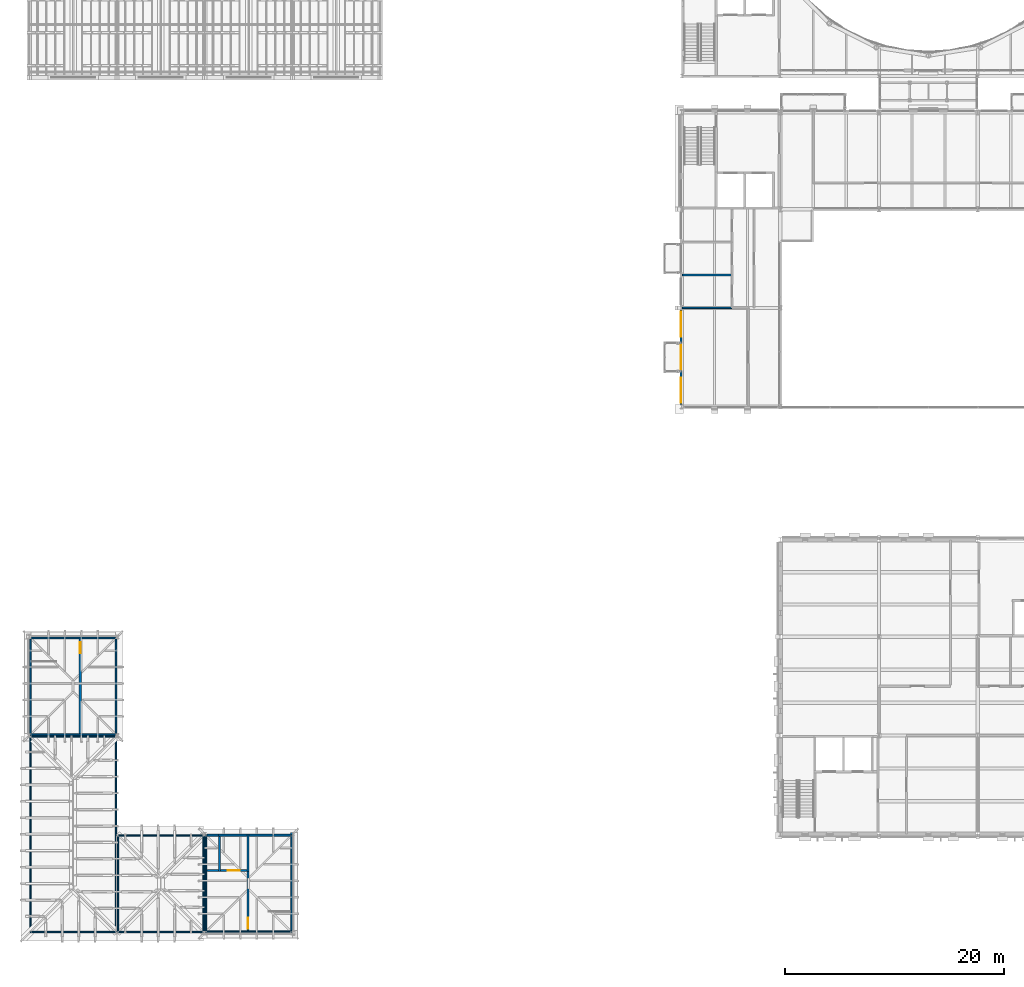
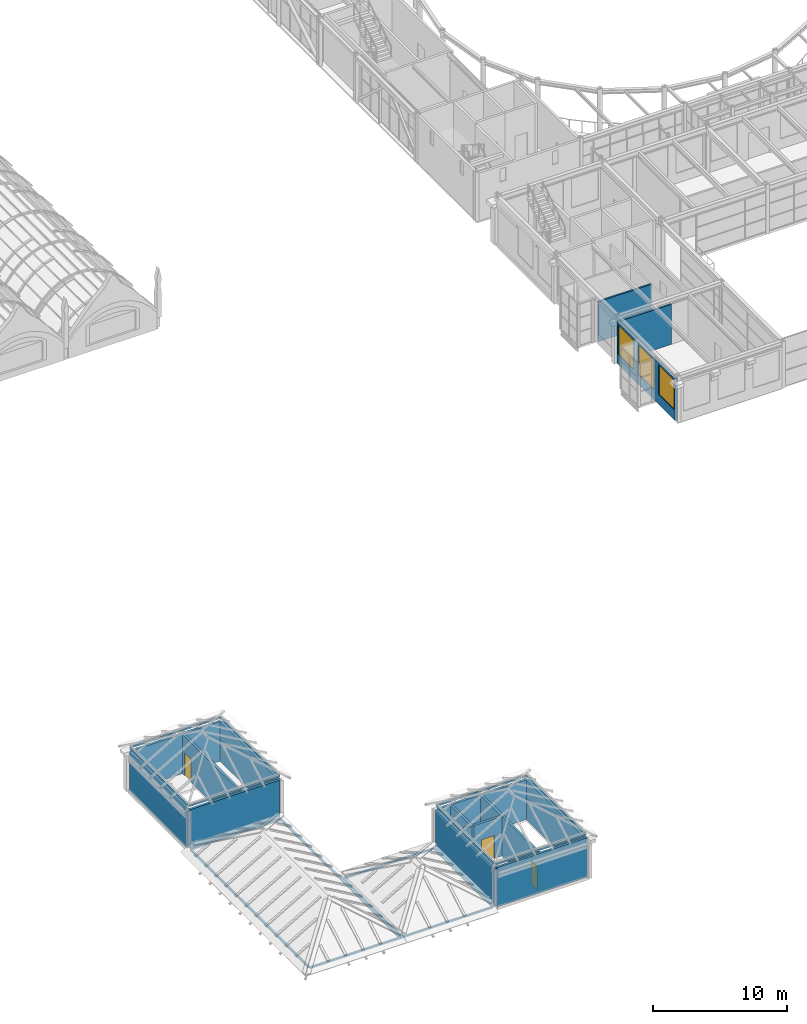
# One storey, part 64 of 111: 35 walls, 3 doors, 3 windows, 6 openings.
"""IFC4 building model written with IfcOpenShell, lengths in metres."""

import ifcopenshell
import ifcopenshell.guid

model = None  # the IFC model being written
_history = None  # IfcOwnerHistory: only IFC2X3 demands one
_inside = {}  # id of a spatial element -> (the spatial element, [elements in it])
_under = {}  # id of a project, library or spatial element -> (it, [spatial elements below it])
_declared = {}  # id of a project -> (the project, [libraries it declares])
_typed = {}  # id of a type object -> (the type object, [elements of that type])
_made_of = {}  # id of a material, layer set ... -> (it, [elements and type objects made of it])


def new_model(schema):
    """Start an empty IFC model of exactly this schema.

    Asked for "IFC4X3", IfcOpenShell would pick the latest addendum, in which some entities
    have other attributes; the version numbers below select the first issue.
    IFC2X3 requires an IfcOwnerHistory on every rooted entity: one is made here for all.
    """
    global model, _history
    if schema == "IFC4X3":
        model = ifcopenshell.file(schema_version=(4, 3, 0, 0))
    else:
        model = ifcopenshell.file(schema=schema)
    _inside.clear()
    _under.clear()
    _declared.clear()
    _typed.clear()
    _made_of.clear()
    _history = None
    if model.schema == "IFC2X3":
        org = make("IfcOrganization", Name="unknown")
        user = make(
            "IfcPersonAndOrganization",
            ThePerson=make("IfcPerson", FamilyName="unknown"),
            TheOrganization=org,
        )
        app = make(
            "IfcApplication",
            ApplicationDeveloper=org,
            Version="unknown",
            ApplicationFullName="unknown",
            ApplicationIdentifier="unknown",
        )
        _history = make(
            "IfcOwnerHistory",
            OwningUser=user,
            OwningApplication=app,
            ChangeAction="ADDED",
            CreationDate=0,
        )
    return model


def make(cls, **values):
    """One entity of the class cls with the attributes given. An attribute that is None is left unset."""
    return model.create_entity(
        cls, **{name: value for name, value in values.items() if value is not None}
    )


def rooted(cls, **values):
    """An entity with a GlobalId (a new one), such as an element, a storey or a relation."""
    return make(cls, GlobalId=ifcopenshell.guid.new(), OwnerHistory=_history, **values)


def si_unit(unit_type, name, prefix=None):
    """IfcSIUnit, for example si_unit("LENGTHUNIT", "METRE", prefix="MILLI")."""
    return make("IfcSIUnit", UnitType=unit_type, Prefix=prefix, Name=name)


def assignment(units):
    """IfcUnitAssignment: the units of a project."""
    return None if units is None else make("IfcUnitAssignment", Units=units)


def point(xyz):
    """IfcCartesianPoint."""
    return None if xyz is None else make("IfcCartesianPoint", Coordinates=xyz)


def direction(xyz):
    """IfcDirection."""
    return None if xyz is None else make("IfcDirection", DirectionRatios=xyz)


def frame(location, z_axis=None, x_axis=None):
    """IfcAxis2Placement3D, a coordinate frame: its origin and axes. An axis left out is left unset."""
    return make(
        "IfcAxis2Placement3D",
        Location=point(location),
        Axis=direction(z_axis),
        RefDirection=direction(x_axis),
    )


def frame_2d(location, x_axis=None):
    """IfcAxis2Placement2D, a coordinate frame in the plane: its origin and x axis."""
    return make(
        "IfcAxis2Placement2D", Location=point(location), RefDirection=direction(x_axis)
    )


def origin():
    """The frame at (0, 0, 0) with its axes left unset."""
    return frame((0.0, 0.0, 0.0))


def place(relative_to, where):
    """IfcLocalPlacement: puts the frame where relative to a parent placement (None: the world)."""
    return make(
        "IfcLocalPlacement", PlacementRelTo=relative_to, RelativePlacement=where
    )


def context(
    kind, dimensions, precision=None, world=None, true_north=None, identifier=None
):
    """IfcGeometricRepresentationContext, for example the 3D "Model" context."""
    return make(
        "IfcGeometricRepresentationContext",
        ContextIdentifier=identifier,
        ContextType=kind,
        CoordinateSpaceDimension=dimensions,
        Precision=precision,
        WorldCoordinateSystem=world,
        TrueNorth=true_north,
    )


def subcontext(parent, identifier, kind, view, scale=None):
    """IfcGeometricRepresentationSubContext, for example "Body" below "Model"."""
    return make(
        "IfcGeometricRepresentationSubContext",
        ContextIdentifier=identifier,
        ContextType=kind,
        ParentContext=parent,
        TargetScale=scale,
        TargetView=view,
    )


def project(units=None, contexts=None):
    """IfcProject with its units and contexts."""
    return rooted(
        "IfcProject",
        Name="project",
        RepresentationContexts=contexts,
        UnitsInContext=assignment(units),
    )


def spatial(cls, under=None, at=None, **own):
    """A site, building, storey or space (cls), placed at a placement, below another one or the project."""
    s = rooted(cls, ObjectPlacement=at, **own)
    if under is not None:
        _under.setdefault(under.id(), (under, []))[1].append(s)
    return s


def profile(cls, at=None, kind="AREA", **sizes):
    """A parametric profile (cls). Its sizes go by their IFC names, for example OverallWidth=200.0."""
    return make(cls, ProfileType=kind, Position=at, **sizes)


def rectangle(**sizes):
    """IfcRectangleProfileDef."""
    return profile("IfcRectangleProfileDef", **sizes)


def extrude(swept, where, along, depth):
    """IfcExtrudedAreaSolid: the profile swept, set in the frame where, extruded along a direction by depth."""
    return make(
        "IfcExtrudedAreaSolid",
        SweptArea=swept,
        Position=where,
        ExtrudedDirection=direction(along),
        Depth=depth,
    )


def shape(context_of_items, identifier, shape_type, items):
    """IfcShapeRepresentation: the items that make up one representation, for example the "Body"."""
    return make(
        "IfcShapeRepresentation",
        ContextOfItems=context_of_items,
        RepresentationIdentifier=identifier,
        RepresentationType=shape_type,
        Items=items,
    )


def material(Name=None, Category=None):
    """IfcMaterial."""
    return make("IfcMaterial", Name=Name, Category=Category)


def layer(
    of_material, thickness, ventilated=None, Name=None, Category=None, Priority=None
):
    """IfcMaterialLayer: one layer of a wall or slab, of a material (None: an air gap)."""
    return make(
        "IfcMaterialLayer",
        Material=of_material,
        LayerThickness=thickness,
        IsVentilated=ventilated,
        Name=Name,
        Category=Category,
        Priority=Priority,
    )


def layer_set(layers, Name=None):
    """IfcMaterialLayerSet."""
    return make("IfcMaterialLayerSet", MaterialLayers=layers, LayerSetName=Name)


def made_of(thing, what):
    """Note that an element or type object is made of a material, layer set ...; save() writes the relation."""
    if what is not None:
        _made_of.setdefault(what.id(), (what, []))[1].append(thing)
    return thing


def type_object(cls, material=None, **own):
    """A type object (cls), such as IfcWallType, which elements share."""
    return made_of(rooted(cls, **own), material)


def element(
    cls,
    number,
    at=None,
    inside=None,
    cuts=None,
    type_object=None,
    material=None,
    context=None,
    identifier="Body",
    shape_type=None,
    held_by="IfcProductDefinitionShape",
    body=None,
    shapes=None,
    **own,
):
    """One element of the class cls, such as IfcWall. Its Tag is "e" and its number.

    at: its placement. inside: the storey or other place that contains it. cuts: it is an
    opening in that element (IfcRelVoidsElement). A single representation is given by context,
    identifier, shape_type and body (its items); several are given by shapes. held_by: the class
    of the entity that holds the representations. save() writes the other relations.
    """
    e = rooted(cls, Tag="e%d" % number, ObjectPlacement=at, **own)
    if body is not None:
        shapes = [shape(context, identifier, shape_type, body)]
    if shapes is not None:
        e.Representation = make(held_by, Representations=shapes)
    if inside is not None:
        _inside.setdefault(inside.id(), (inside, []))[1].append(e)
    if cuts is not None:
        rooted(
            "IfcRelVoidsElement", RelatingBuildingElement=cuts, RelatedOpeningElement=e
        )
    if type_object is not None:
        _typed.setdefault(type_object.id(), (type_object, []))[1].append(e)
    return made_of(e, material)


def fill(opening, filler):
    """IfcRelFillsElement: the door or window that sits in an opening."""
    return rooted(
        "IfcRelFillsElement",
        RelatingOpeningElement=opening,
        RelatedBuildingElement=filler,
    )


def aggregate(whole, parts):
    """IfcRelAggregates: a whole, such as a stair, and the parts it consists of."""
    return rooted("IfcRelAggregates", RelatingObject=whole, RelatedObjects=parts)


def save(model, path):
    """Write the relations noted so far, then the file.

    IfcRelAggregates (storeys below a building ...), IfcRelContainedInSpatialStructure (elements
    in a storey), IfcRelDefinesByType, IfcRelAssociatesMaterial and IfcRelDeclares: one each for
    every whole, place, type object, material and project.
    """
    for whole, parts in _under.values():
        aggregate(whole, parts)
    for where, things in _inside.values():
        rooted(
            "IfcRelContainedInSpatialStructure",
            RelatedElements=things,
            RelatingStructure=where,
        )
    for kind, things in _typed.values():
        rooted("IfcRelDefinesByType", RelatedObjects=things, RelatingType=kind)
    for what, things in _made_of.values():
        rooted("IfcRelAssociatesMaterial", RelatedObjects=things, RelatingMaterial=what)
    for by, libraries in _declared.values():
        rooted("IfcRelDeclares", RelatingContext=by, RelatedDefinitions=libraries)
    model.write(path)


model = new_model("IFC4")

# Units and contexts
model_context = context("Model", 3, precision=1e-05, world=origin(), true_north=direction((0.0, 1.0)))
body_context = subcontext(model_context, "Body", "Model", "MODEL_VIEW")
ifc_project = project(units=[si_unit("LENGTHUNIT", "METRE"), si_unit("AREAUNIT", "SQUARE_METRE"), si_unit("VOLUMEUNIT", "CUBIC_METRE"), si_unit("PLANEANGLEUNIT", "RADIAN"), si_unit("MASSUNIT", "GRAM", prefix="KILO")], contexts=[model_context])

# Site, building, storey
site_placement = place(None, origin())
site = spatial("IfcSite", under=ifc_project, at=site_placement, CompositionType="ELEMENT")
building_placement = place(site_placement, origin())
building = spatial("IfcBuilding", under=site, at=building_placement, Name="Kallimachos Central Library", CompositionType="ELEMENT")
storey_placement = place(building_placement, frame((0.0, 0.0, 14.39990234375)))
storey = spatial("IfcBuildingStorey", under=building, at=storey_placement, Name="L03", CompositionType="ELEMENT", Elevation=14.39990234375)

# Walls
ifc_material_1 = material(Name="Concrete C30/37", Category="concrete")
ifc_layer_1 = layer(ifc_material_1, 0.14990234375)
ifc_layer_set_1 = layer_set([ifc_layer_1], Name="Concrete C30/37 eaves kerb 150")
wall_type_1 = type_object("IfcWallType", Name="Concrete C30/37 eaves kerb 150", PredefinedType="SOLIDWALL", material=ifc_layer_set_1)
for number, where, z_axis, x_axis, name in (
    (1, (6.10009765625, 9.10009765625, 0.0), (0.0, 0.0, 1.0), (1.0, 0.0, 0.0), "R2 eaves kerb S"),
    (2, (6.10009765625, 26.89990234375, 0.0), (0.0, 0.0, 1.0), (1.0, 0.0, 0.0), "R2 eaves kerb N"),
):
    element("IfcWall", number, at=place(storey_placement, frame(where, z_axis=z_axis, x_axis=x_axis)), inside=storey, type_object=wall_type_1, Name=name, PredefinedType="SOLIDWALL", context=body_context, shape_type="SweptSolid", body=[
        extrude(rectangle(XDim=7.7998046875, YDim=0.14990234375, at=frame_2d((3.89990234375, 0.0))), origin(), (0.0, 0.0, 1.0), 0.150146484375),
    ])
for number, where, z_axis, x_axis, name in (
    (3, (6.10009765625, 9.175048828125, 0.0), (0.0, 0.0, 1.0), (0.0, 1.0, 0.0), "R2 eaves kerb W"),
    (4, (13.89990234375, 9.175048828125, 0.0), (0.0, 0.0, 1.0), (0.0, 1.0, 0.0), "R2 eaves kerb E"),
):
    element("IfcWall", number, at=place(storey_placement, frame(where, z_axis=z_axis, x_axis=x_axis)), inside=storey, type_object=wall_type_1, Name=name, PredefinedType="SOLIDWALL", context=body_context, shape_type="SweptSolid", body=[
        extrude(rectangle(XDim=17.64990234375, YDim=0.14990234375, at=frame_2d((8.824951171875, 0.0))), origin(), (0.0, 0.0, 1.0), 0.150146484375),
    ])
wall_1_placement = place(storey_placement, frame((13.89990234375, 9.10009765625, 0.0), z_axis=(0.0, 0.0, 1.0), x_axis=(1.0, 0.0, 0.0)))
element("IfcWall", 5, at=wall_1_placement, inside=storey, type_object=wall_type_1, Name="R1 eaves kerb S", PredefinedType="SOLIDWALL", context=body_context, shape_type="SweptSolid", body=[
    extrude(rectangle(XDim=8.0, YDim=0.14990234375, at=frame_2d((4.0, 0.0))), origin(), (0.0, 0.0, 1.0), 0.150146484375),
])
wall_2_placement = place(storey_placement, frame((14.10009765625, 17.89990234375, 0.0), z_axis=(0.0, 0.0, 1.0), x_axis=(1.0, 0.0, 0.0)))
element("IfcWall", 6, at=wall_2_placement, inside=storey, type_object=wall_type_1, Name="R1 eaves kerb N", PredefinedType="SOLIDWALL", context=body_context, shape_type="SweptSolid", body=[
    extrude(rectangle(XDim=7.7998046875, YDim=0.14990234375, at=frame_2d((3.89990234375, 0.0))), origin(), (0.0, 0.0, 1.0), 0.150146484375),
])
for number, where, z_axis, x_axis, name in (
    (7, (14.10009765625, 9.175048828125, 0.0), (0.0, 0.0, 1.0), (0.0, 1.0, 0.0), "R1 eaves kerb W"),
    (8, (21.89990234375, 9.175048828125, 0.0), (0.0, 0.0, 1.0), (0.0, 1.0, 0.0), "R1 eaves kerb E"),
):
    element("IfcWall", number, at=place(storey_placement, frame(where, z_axis=z_axis, x_axis=x_axis)), inside=storey, type_object=wall_type_1, Name=name, PredefinedType="SOLIDWALL", context=body_context, shape_type="SweptSolid", body=[
        extrude(rectangle(XDim=8.64990234375, YDim=0.14990234375, at=frame_2d((4.324951171875, 0.0))), origin(), (0.0, 0.0, 1.0), 0.150146484375),
    ])
for number, where, z_axis, x_axis, name in (
    (9, (22.10009765625, 9.10009765625, 3.85009765625), (0.0, 0.0, 1.0), (1.0, 0.0, 0.0), "R3 eaves kerb S"),
    (10, (22.10009765625, 17.89990234375, 3.85009765625), (0.0, 0.0, 1.0), (1.0, 0.0, 0.0), "R3 eaves kerb N"),
):
    element("IfcWall", number, at=place(storey_placement, frame(where, z_axis=z_axis, x_axis=x_axis)), inside=storey, type_object=wall_type_1, Name=name, PredefinedType="SOLIDWALL", context=body_context, shape_type="SweptSolid", body=[
        extrude(rectangle(XDim=7.7998046875, YDim=0.14990234375, at=frame_2d((3.89990234375, 0.0))), origin(), (0.0, 0.0, 1.0), 0.14990234375),
    ])
for number, where, z_axis, x_axis, name in (
    (11, (22.10009765625, 9.175048828125, 3.85009765625), (0.0, 0.0, 1.0), (0.0, 1.0, 0.0), "R3 eaves kerb W"),
    (12, (29.89990234375, 9.175048828125, 3.85009765625), (0.0, 0.0, 1.0), (0.0, 1.0, 0.0), "R3 eaves kerb E"),
):
    element("IfcWall", number, at=place(storey_placement, frame(where, z_axis=z_axis, x_axis=x_axis)), inside=storey, type_object=wall_type_1, Name=name, PredefinedType="SOLIDWALL", context=body_context, shape_type="SweptSolid", body=[
        extrude(rectangle(XDim=8.64990234375, YDim=0.14990234375, at=frame_2d((4.324951171875, 0.0))), origin(), (0.0, 0.0, 1.0), 0.14990234375),
    ])
for number, where, z_axis, x_axis, name in (
    (13, (6.10009765625, 27.10009765625, 3.85009765625), (0.0, 0.0, 1.0), (1.0, 0.0, 0.0), "R4 eaves kerb S"),
    (14, (6.10009765625, 35.89990234375, 3.85009765625), (0.0, 0.0, 1.0), (1.0, 0.0, 0.0), "R4 eaves kerb N"),
):
    element("IfcWall", number, at=place(storey_placement, frame(where, z_axis=z_axis, x_axis=x_axis)), inside=storey, type_object=wall_type_1, Name=name, PredefinedType="SOLIDWALL", context=body_context, shape_type="SweptSolid", body=[
        extrude(rectangle(XDim=7.7998046875, YDim=0.14990234375, at=frame_2d((3.89990234375, 0.0))), origin(), (0.0, 0.0, 1.0), 0.14990234375),
    ])
for number, where, z_axis, x_axis, name in (
    (15, (6.10009765625, 27.175048828125, 3.85009765625), (0.0, 0.0, 1.0), (0.0, 1.0, 0.0), "R4 eaves kerb W"),
    (16, (13.89990234375, 27.175048828125, 3.85009765625), (0.0, 0.0, 1.0), (0.0, 1.0, 0.0), "R4 eaves kerb E"),
):
    element("IfcWall", number, at=place(storey_placement, frame(where, z_axis=z_axis, x_axis=x_axis)), inside=storey, type_object=wall_type_1, Name=name, PredefinedType="SOLIDWALL", context=body_context, shape_type="SweptSolid", body=[
        extrude(rectangle(XDim=8.64990234375, YDim=0.14990234375, at=frame_2d((4.324951171875, 0.0))), origin(), (0.0, 0.0, 1.0), 0.14990234375),
    ])
ifc_material_2 = material(Name="Concrete C30/37", Category="concrete")
ifc_layer_2 = layer(ifc_material_2, 0.199951171875)
ifc_layer_set_2 = layer_set([ifc_layer_2], Name="Core wall 200")
wall_type_2 = type_object("IfcWallType", Name="Core wall 200", PredefinedType="SOLIDWALL", material=ifc_layer_set_2)
wall_3_placement = place(storey_placement, frame((22.10009765625, 9.14990234375, 0.0), z_axis=(0.0, 0.0, 1.0), x_axis=(0.0, 1.0, 0.0)))
element("IfcWall", 17, at=wall_3_placement, inside=storey, type_object=wall_type_2, Name="V6-WAL-L03-023", PredefinedType="SOLIDWALL", context=body_context, shape_type="SweptSolid", body=[
    extrude(rectangle(XDim=8.7001953125, YDim=0.199951171875, at=frame_2d((4.35009765625, 0.0))), origin(), (0.0, 0.0, 1.0), 3.60009765625),
])
wall_4_placement = place(storey_placement, frame((22.199951171875, 17.89990234375, 0.0), z_axis=(0.0, 0.0, 1.0), x_axis=(1.0, 0.0, 0.0)))
element("IfcWall", 18, at=wall_4_placement, inside=storey, type_object=wall_type_2, Name="V6-WAL-L03-024", PredefinedType="SOLIDWALL", context=body_context, shape_type="SweptSolid", body=[
    extrude(rectangle(XDim=1.050048828125, YDim=0.199951171875, at=frame_2d((0.52490234375, 0.0))), origin(), (0.0, 0.0, 1.0), 3.60009765625),
])
wall_5_placement = place(storey_placement, frame((6.14990234375, 27.10009765625, 0.0), z_axis=(0.0, 0.0, 1.0), x_axis=(1.0, 0.0, 0.0)))
element("IfcWall", 19, at=wall_5_placement, inside=storey, type_object=wall_type_2, Name="V6-WAL-L03-028", PredefinedType="SOLIDWALL", context=body_context, shape_type="SweptSolid", body=[
    extrude(rectangle(XDim=7.7001953125, YDim=0.199951171875, at=frame_2d((3.85009765625, 0.0))), origin(), (0.0, 0.0, 1.0), 3.60009765625),
])
wall_6_placement = place(storey_placement, frame((13.89990234375, 27.199951171875, 0.0), z_axis=(0.0, 0.0, 1.0), x_axis=(0.0, 1.0, 0.0)))
element("IfcWall", 20, at=wall_6_placement, inside=storey, type_object=wall_type_2, Name="V6-WAL-L03-031", PredefinedType="SOLIDWALL", context=body_context, shape_type="SweptSolid", body=[
    extrude(rectangle(XDim=8.60009765625, YDim=0.199951171875, at=frame_2d((4.300048828125, 0.0))), origin(), (0.0, 0.0, 1.0), 3.60009765625),
])
ifc_material_3 = material(Name="Concrete C30/37", Category="concrete")
ifc_layer_3 = layer(ifc_material_3, 0.199951171875)
ifc_layer_set_3 = layer_set([ifc_layer_3], Name="Core wall 200, non-load-bearing")
wall_type_3 = type_object("IfcWallType", Name="Core wall 200, non-load-bearing", PredefinedType="SOLIDWALL", material=ifc_layer_set_3)
wall_7_placement = place(storey_placement, frame((26.050048828125, 17.89990234375, 0.0), z_axis=(0.0, 0.0, 1.0), x_axis=(1.0, 0.0, 0.0)))
element("IfcWall", 21, at=wall_7_placement, inside=storey, type_object=wall_type_3, Name="V6-WAL-L03-025", PredefinedType="SOLIDWALL", context=body_context, shape_type="SweptSolid", body=[
    extrude(rectangle(XDim=3.75, YDim=0.199951171875, at=frame_2d((1.875, 0.0))), origin(), (0.0, 0.0, 1.0), 3.60009765625),
])

# Wall, opening, door
wall_8_placement = place(storey_placement, frame((25.949951171875, 9.199951171875, 0.0), z_axis=(0.0, 0.0, 1.0), x_axis=(0.0, 1.0, 0.0)))
wall_8 = element("IfcWall", 22, at=wall_8_placement, inside=storey, type_object=wall_type_3, Name="V6-WAL-L03-026", PredefinedType="SOLIDWALL", context=body_context, shape_type="SweptSolid", body=[
    extrude(rectangle(XDim=5.400146484375, YDim=0.199951171875, at=frame_2d((2.7001953125, 0.0))), origin(), (0.0, 0.0, 1.0), 3.60009765625),
])
opening_1_placement = place(wall_8_placement, frame((0.199951171875, 0.0, 0.0)))
opening_1 = element("IfcOpeningElement", 23, at=opening_1_placement, cuts=wall_8, Name="Opening D352", PredefinedType="OPENING", context=body_context, shape_type="SweptSolid", body=[
    extrude(rectangle(XDim=1.0, YDim=2.10009765625, at=frame_2d((0.5, 1.050048828125))), frame((0.0, 0.10986328125, 0.0), z_axis=(0.0, -1.0, 0.0), x_axis=(1.0, 0.0, 0.0)), (0.0, 0.0, 1.0), 0.219970703125),
])
ifc_material_4 = material(Name="Oak timber", Category="wood")
door_type_1 = type_object("IfcDoorType", Name="Single door 1000 x 2100", OperationType="NOTDEFINED", PredefinedType="DOOR", material=ifc_material_4)
door_1_placement = place(opening_1_placement, origin())
door_1 = element("IfcDoor", 24, at=door_1_placement, inside=storey, type_object=door_type_1, Name="Stair Door", OperationType="SINGLE_SWING_RIGHT", OverallHeight=2.10009765625, OverallWidth=1.0, PredefinedType="DOOR", context=body_context, shape_type="SweptSolid", body=[
    extrude(rectangle(XDim=1.0, YDim=2.10009765625, at=frame_2d((0.5, 1.050048828125))), frame((0.0, 0.02490234375, 0.0), z_axis=(0.0, -1.0, 0.0), x_axis=(1.0, 0.0, 0.0)), (0.0, 0.0, 1.0), 0.050048828125),
])
fill(opening_1, door_1)

# Wall
wall_9_placement = place(storey_placement, frame((22.199951171875, 14.699951171875, 0.0), z_axis=(0.0, 0.0, 1.0), x_axis=(1.0, 0.0, 0.0)))
element("IfcWall", 25, at=wall_9_placement, inside=storey, type_object=wall_type_3, Name="V6-WAL-L03-027", PredefinedType="SOLIDWALL", context=body_context, shape_type="SweptSolid", body=[
    extrude(rectangle(XDim=1.050048828125, YDim=0.199951171875, at=frame_2d((0.52490234375, 0.0))), origin(), (0.0, 0.0, 1.0), 3.60009765625),
])

# Wall, opening, door
wall_10_placement = place(storey_placement, frame((10.64990234375, 27.199951171875, 0.0), z_axis=(0.0, 0.0, 1.0), x_axis=(0.0, 1.0, 0.0)))
wall_10 = element("IfcWall", 26, at=wall_10_placement, inside=storey, type_object=wall_type_3, Name="V6-WAL-L03-032", PredefinedType="SOLIDWALL", context=body_context, shape_type="SweptSolid", body=[
    extrude(rectangle(XDim=8.60009765625, YDim=0.199951171875, at=frame_2d((4.300048828125, 0.0))), origin(), (0.0, 0.0, 1.0), 3.60009765625),
])
opening_2_placement = place(wall_10_placement, frame((7.300048828125, 0.0, 0.0)))
opening_2 = element("IfcOpeningElement", 27, at=opening_2_placement, cuts=wall_10, Name="Opening D353", PredefinedType="OPENING", context=body_context, shape_type="SweptSolid", body=[
    extrude(rectangle(XDim=1.0, YDim=2.10009765625, at=frame_2d((0.5, 1.050048828125))), frame((0.0, 0.10986328125, 0.0), z_axis=(0.0, -1.0, 0.0), x_axis=(1.0, 0.0, 0.0)), (0.0, 0.0, 1.0), 0.219970703125),
])
door_2_placement = place(opening_2_placement, frame((1.0, 0.0, 0.0), z_axis=(0.0, 0.0, 1.0), x_axis=(-1.0, 0.0, 0.0)))
door_2 = element("IfcDoor", 28, at=door_2_placement, inside=storey, type_object=door_type_1, Name="Stair Door", OperationType="SINGLE_SWING_RIGHT", OverallHeight=2.10009765625, OverallWidth=1.0, PredefinedType="DOOR", context=body_context, shape_type="SweptSolid", body=[
    extrude(rectangle(XDim=1.0, YDim=2.10009765625, at=frame_2d((0.5, 1.050048828125))), frame((0.0, 0.02490234375, 0.0), z_axis=(0.0, -1.0, 0.0), x_axis=(1.0, 0.0, 0.0)), (0.0, 0.0, 1.0), 0.050048828125),
])
fill(opening_2, door_2)

# Wall
ifc_material_5 = material(Name="Concrete C30/37", Category="concrete")
ifc_layer_4 = layer(ifc_material_5, 0.199951171875)
ifc_layer_set_4 = layer_set([ifc_layer_4], Name="Lift shaft wall 200")
wall_type_4 = type_object("IfcWallType", Name="Lift shaft wall 200", PredefinedType="SOLIDWALL", material=ifc_layer_set_4)
wall_11_placement = place(storey_placement, frame((23.25, 17.89990234375, 0.0), z_axis=(0.0, 0.0, 1.0), x_axis=(1.0, 0.0, 0.0)))
element("IfcWall", 29, at=wall_11_placement, inside=storey, type_object=wall_type_4, Name="V6-WAL-L03-001", PredefinedType="SOLIDWALL", context=body_context, shape_type="SweptSolid", body=[
    extrude(rectangle(XDim=2.60009765625, YDim=0.199951171875, at=frame_2d((1.300048828125, 0.0))), origin(), (0.0, 0.0, 1.0), 3.60009765625),
])

# Wall, opening, door
wall_12_placement = place(storey_placement, frame((23.449951171875, 14.699951171875, 0.0), z_axis=(0.0, 0.0, 1.0), x_axis=(1.0, 0.0, 0.0)))
wall_12 = element("IfcWall", 30, at=wall_12_placement, inside=storey, type_object=wall_type_4, Name="V6-WAL-L03-002", PredefinedType="SOLIDWALL", context=body_context, shape_type="SweptSolid", body=[
    extrude(rectangle(XDim=2.400146484375, YDim=0.199951171875, at=frame_2d((1.2001953125, 0.0))), origin(), (0.0, 0.0, 1.0), 3.60009765625),
])
opening_3_placement = place(wall_12_placement, frame((0.64990234375, 0.0, 0.0)))
opening_3 = element("IfcOpeningElement", 31, at=opening_3_placement, cuts=wall_12, Name="Opening LD1100", PredefinedType="OPENING", context=body_context, shape_type="SweptSolid", body=[
    extrude(rectangle(XDim=1.10009765625, YDim=2.10009765625, at=frame_2d((0.550048828125, 1.050048828125))), frame((0.0, 0.10986328125, 0.0), z_axis=(0.0, -1.0, 0.0), x_axis=(1.0, 0.0, 0.0)), (0.0, 0.0, 1.0), 0.219970703125),
])
ifc_material_6 = material(Name="Stainless steel", Category="steel")
door_type_2 = type_object("IfcDoorType", Name="Lift landing door 1100 x 2100", OperationType="SLIDING_TO_LEFT", PredefinedType="DOOR", material=ifc_material_6)
door_3_placement = place(opening_3_placement, origin())
door_3 = element("IfcDoor", 32, at=door_3_placement, inside=storey, type_object=door_type_2, Name="LF14 landing door L03", OperationType="SLIDING_TO_LEFT", OverallHeight=2.10009765625, OverallWidth=1.10009765625, PredefinedType="DOOR", context=body_context, shape_type="SweptSolid", body=[
    extrude(rectangle(XDim=1.10009765625, YDim=2.10009765625, at=frame_2d((0.550048828125, 1.050048828125))), frame((0.0, 0.02490234375, 0.0), z_axis=(0.0, -1.0, 0.0), x_axis=(1.0, 0.0, 0.0)), (0.0, 0.0, 1.0), 0.050048828125),
])
fill(opening_3, door_3)

# Walls
for number, where, z_axis, x_axis, name in (
    (33, (23.35009765625, 14.60009765625, 0.0), (0.0, 0.0, 1.0), (0.0, 1.0, 0.0), "V6-WAL-L03-003"),
    (34, (25.949951171875, 14.60009765625, 0.0), (0.0, 0.0, 1.0), (0.0, 1.0, 0.0), "V6-WAL-L03-004"),
):
    element("IfcWall", number, at=place(storey_placement, frame(where, z_axis=z_axis, x_axis=x_axis)), inside=storey, type_object=wall_type_4, Name=name, PredefinedType="SOLIDWALL", context=body_context, shape_type="SweptSolid", body=[
        extrude(rectangle(XDim=3.39990234375, YDim=0.199951171875, at=frame_2d((1.699951171875, 0.0))), origin(), (0.0, 0.0, 1.0), 3.60009765625),
    ])
ifc_material_7 = material(Name="Gypsum board on steel studs", Category="steel")
ifc_layer_5 = layer(ifc_material_7, 0.14990234375)
ifc_layer_set_5 = layer_set([ifc_layer_5], Name="Partition wall 150")
wall_type_5 = type_object("IfcWallType", Name="Partition wall 150", PredefinedType="PARTITIONING", material=ifc_layer_set_5)
for number, where, z_axis, x_axis, name in (
    (35, (65.550048828125, 66.0, 0.0), (0.0, 0.0, 1.0), (1.0, 0.0, 0.0), "L03 partition"),
    (36, (65.550048828125, 69.0, 0.0), (0.0, 0.0, 1.0), (1.0, 0.0, 0.0), "L03 partition"),
):
    element("IfcWall", number, at=place(storey_placement, frame(where, z_axis=z_axis, x_axis=x_axis)), inside=storey, type_object=wall_type_5, Name=name, PredefinedType="PARTITIONING", context=body_context, shape_type="SweptSolid", body=[
        extrude(rectangle(XDim=4.550048828125, YDim=0.14990234375, at=frame_2d((2.27490234375, 0.0))), origin(), (0.0, 0.0, 1.0), 3.650146484375),
    ])
ifc_material_8 = material(Name="Concrete C30/37", Category="concrete")
ifc_layer_6 = layer(ifc_material_8, 0.199951171875)
ifc_layer_set_6 = layer_set([ifc_layer_6], Name="Stone-clad core wall 200")
wall_type_6 = type_object("IfcWallType", Name="Stone-clad core wall 200", PredefinedType="SOLIDWALL", material=ifc_layer_set_6)
wall_13_placement = place(storey_placement, frame((22.199951171875, 9.10009765625, 0.0), z_axis=(0.0, 0.0, 1.0), x_axis=(1.0, 0.0, 0.0)))
element("IfcWall", 37, at=wall_13_placement, inside=storey, type_object=wall_type_6, Name="V6-WAL-L03-021", PredefinedType="SOLIDWALL", context=body_context, shape_type="SweptSolid", body=[
    extrude(rectangle(XDim=7.7900390625, YDim=0.199951171875, at=frame_2d((3.89501953125, 0.0))), origin(), (0.0, 0.0, 1.0), 3.60009765625),
])
wall_14_placement = place(storey_placement, frame((6.10009765625, 27.199951171875, 0.0), z_axis=(0.0, 0.0, 1.0), x_axis=(0.0, 1.0, 0.0)))
element("IfcWall", 38, at=wall_14_placement, inside=storey, type_object=wall_type_6, Name="V6-WAL-L03-029", PredefinedType="SOLIDWALL", context=body_context, shape_type="SweptSolid", body=[
    extrude(rectangle(XDim=8.60009765625, YDim=0.199951171875, at=frame_2d((4.300048828125, 0.0))), origin(), (0.0, 0.0, 1.0), 3.60009765625),
])
ifc_material_9 = material(Name="Concrete C30/37", Category="concrete")
ifc_layer_7 = layer(ifc_material_9, 0.199951171875)
ifc_layer_set_7 = layer_set([ifc_layer_7], Name="Stone-clad core wall 200, non-load-bearing")
wall_type_7 = type_object("IfcWallType", Name="Stone-clad core wall 200, non-load-bearing", PredefinedType="SOLIDWALL", material=ifc_layer_set_7)
wall_15_placement = place(storey_placement, frame((29.89990234375, 9.199951171875, 0.0), z_axis=(0.0, 0.0, 1.0), x_axis=(0.0, 1.0, 0.0)))
element("IfcWall", 39, at=wall_15_placement, inside=storey, type_object=wall_type_7, Name="V6-WAL-L03-022", PredefinedType="SOLIDWALL", context=body_context, shape_type="SweptSolid", body=[
    extrude(rectangle(XDim=8.949951171875, YDim=0.199951171875, at=frame_2d((4.47509765625, 0.0))), origin(), (0.0, 0.0, 1.0), 3.60009765625),
])
wall_16_placement = place(storey_placement, frame((6.14990234375, 35.89990234375, 0.0), z_axis=(0.0, 0.0, 1.0), x_axis=(1.0, 0.0, 0.0)))
element("IfcWall", 40, at=wall_16_placement, inside=storey, type_object=wall_type_7, Name="V6-WAL-L03-030", PredefinedType="SOLIDWALL", context=body_context, shape_type="SweptSolid", body=[
    extrude(rectangle(XDim=7.7001953125, YDim=0.199951171875, at=frame_2d((3.85009765625, 0.0))), origin(), (0.0, 0.0, 1.0), 3.60009765625),
])

# Wall, openings, windows
ifc_material_10 = material(Name="Brick masonry with Pentelic marble cladding", Category="masonry")
ifc_layer_8 = layer(ifc_material_10, 0.199951171875)
ifc_layer_set_8 = layer_set([ifc_layer_8], Name="Stone-clad masonry wall 200")
wall_type_8 = type_object("IfcWallType", Name="Stone-clad masonry wall 200", PredefinedType="SOLIDWALL", material=ifc_layer_set_8)
wall_17_placement = place(storey_placement, frame((65.445556640625, 57.1884765625, 0.0), z_axis=(0.0, 0.0, 1.0), x_axis=(0.0, 1.0, 0.0)))
wall_17 = element("IfcWall", 41, at=wall_17_placement, inside=storey, type_object=wall_type_8, Name="V4-WAL-L03-020", PredefinedType="SOLIDWALL", context=body_context, shape_type="SweptSolid", body=[
    extrude(rectangle(XDim=8.623046875, YDim=0.199951171875, at=frame_2d((4.3115234375, 0.0))), origin(), (0.0, 0.0, 1.0), 3.800048828125),
])
opening_4_placement = place(wall_17_placement, frame((0.16162109375, 0.0, 0.89990234375)))
opening_4 = element("IfcOpeningElement", 42, at=opening_4_placement, cuts=wall_17, Name="Opening WN161", PredefinedType="OPENING", context=body_context, shape_type="SweptSolid", body=[
    extrude(rectangle(XDim=2.300048828125, YDim=2.699951171875, at=frame_2d((1.14990234375, 1.35009765625))), frame((0.0, 0.10986328125, 0.0), z_axis=(0.0, -1.0, 0.0), x_axis=(1.0, 0.0, 0.0)), (0.0, 0.0, 1.0), 0.219970703125),
])
opening_5_placement = place(wall_17_placement, frame((3.16162109375, 0.0, 0.89990234375)))
opening_5 = element("IfcOpeningElement", 43, at=opening_5_placement, cuts=wall_17, Name="Opening WN161", PredefinedType="OPENING", context=body_context, shape_type="SweptSolid", body=[
    extrude(rectangle(XDim=2.300048828125, YDim=2.699951171875, at=frame_2d((1.14990234375, 1.35009765625))), frame((0.0, 0.10986328125, 0.0), z_axis=(0.0, -1.0, 0.0), x_axis=(1.0, 0.0, 0.0)), (0.0, 0.0, 1.0), 0.219970703125),
])
opening_6_placement = place(wall_17_placement, frame((6.16162109375, 0.0, 0.89990234375)))
opening_6 = element("IfcOpeningElement", 44, at=opening_6_placement, cuts=wall_17, Name="Opening WN161", PredefinedType="OPENING", context=body_context, shape_type="SweptSolid", body=[
    extrude(rectangle(XDim=2.300048828125, YDim=2.699951171875, at=frame_2d((1.14990234375, 1.35009765625))), frame((0.0, 0.10986328125, 0.0), z_axis=(0.0, -1.0, 0.0), x_axis=(1.0, 0.0, 0.0)), (0.0, 0.0, 1.0), 0.219970703125),
])
ifc_material_11 = material(Name="Anodised aluminium and laminated glass", Category="aluminium")
window_type = type_object("IfcWindowType", Name="Window 2300 x 2700", PartitioningType="DOUBLE_PANEL_VERTICAL", PredefinedType="WINDOW", material=ifc_material_11)
window_1_placement = place(opening_4_placement, origin())
window_1 = element("IfcWindow", 45, at=window_1_placement, inside=storey, type_object=window_type, Name="V4-WIN-L03-015", OverallHeight=2.699951171875, OverallWidth=2.300048828125, PartitioningType="SINGLE_PANEL", PredefinedType="WINDOW", context=body_context, shape_type="SweptSolid", body=[
    extrude(rectangle(XDim=2.300048828125, YDim=2.699951171875, at=frame_2d((1.14990234375, 1.35009765625))), frame((0.0, 0.030029296875, 0.0), z_axis=(0.0, -1.0, 0.0), x_axis=(1.0, 0.0, 0.0)), (0.0, 0.0, 1.0), 0.06005859375),
])
fill(opening_4, window_1)
window_2_placement = place(opening_5_placement, origin())
window_2 = element("IfcWindow", 46, at=window_2_placement, inside=storey, type_object=window_type, Name="V4-WIN-L03-016", OverallHeight=2.699951171875, OverallWidth=2.300048828125, PartitioningType="SINGLE_PANEL", PredefinedType="WINDOW", context=body_context, shape_type="SweptSolid", body=[
    extrude(rectangle(XDim=2.300048828125, YDim=2.699951171875, at=frame_2d((1.14990234375, 1.35009765625))), frame((0.0, 0.030029296875, 0.0), z_axis=(0.0, -1.0, 0.0), x_axis=(1.0, 0.0, 0.0)), (0.0, 0.0, 1.0), 0.06005859375),
])
fill(opening_5, window_2)
window_3_placement = place(opening_6_placement, origin())
window_3 = element("IfcWindow", 47, at=window_3_placement, inside=storey, type_object=window_type, Name="V4-WIN-L03-017", OverallHeight=2.699951171875, OverallWidth=2.300048828125, PartitioningType="SINGLE_PANEL", PredefinedType="WINDOW", context=body_context, shape_type="SweptSolid", body=[
    extrude(rectangle(XDim=2.300048828125, YDim=2.699951171875, at=frame_2d((1.14990234375, 1.35009765625))), frame((0.0, 0.030029296875, 0.0), z_axis=(0.0, -1.0, 0.0), x_axis=(1.0, 0.0, 0.0)), (0.0, 0.0, 1.0), 0.06005859375),
])
fill(opening_6, window_3)

save(model, "model.ifc")
